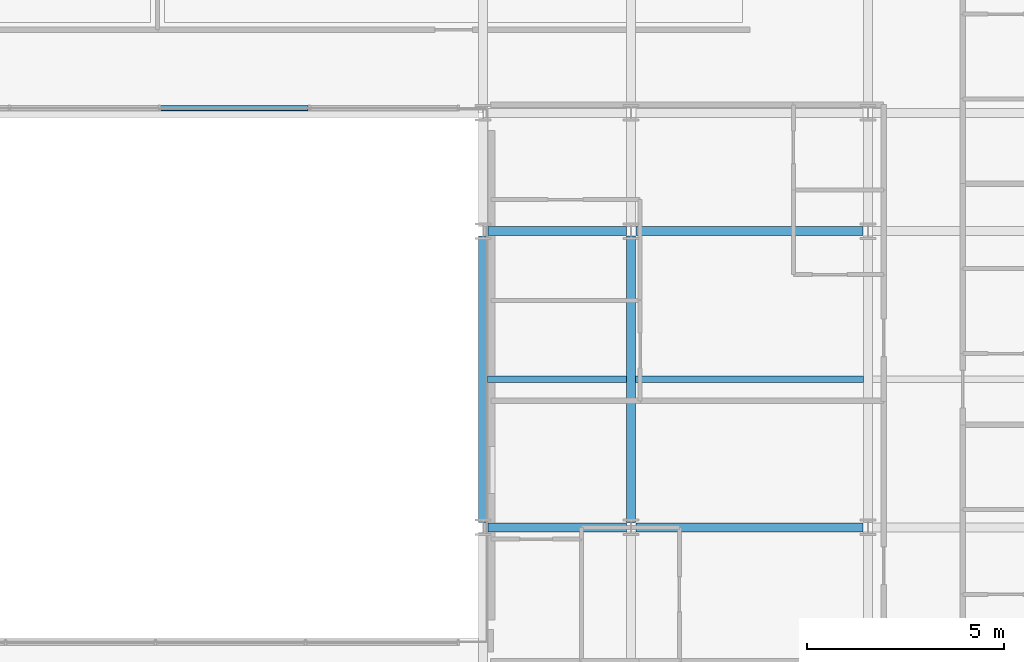
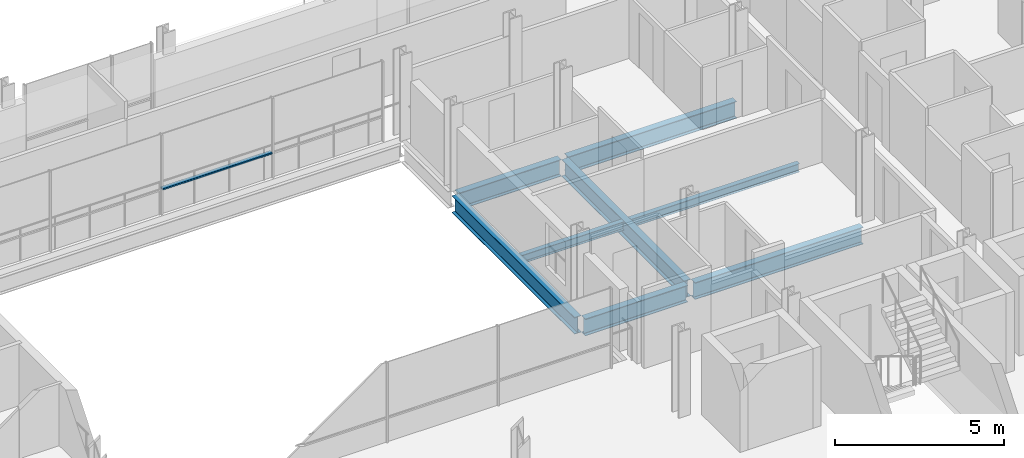
# One storey, part 16 of 39: 8 beams, 1 member, 1 element without a shape of its own.
"""IFC4 building model written with IfcOpenShell, lengths in metres."""

from ifc_helpers import new_model, si_unit, direction, frame, origin, origin_2d, place, context, subcontext, project, spatial, hollow_rectangle, i_section, extrude, material, layer, layer_set, material_profile, profile_set, type_object, element, aggregate, save


model = new_model("IFC4")

# Units and contexts
model_context = context("Model", 3, precision=1e-05, world=origin(), true_north=direction((0.0, 1.0)))
body_context = subcontext(model_context, "Body", "Model", "MODEL_VIEW")
ifc_project = project(units=[si_unit("LENGTHUNIT", "METRE"), si_unit("AREAUNIT", "SQUARE_METRE"), si_unit("VOLUMEUNIT", "CUBIC_METRE"), si_unit("PLANEANGLEUNIT", "RADIAN"), si_unit("MASSUNIT", "GRAM", prefix="KILO")], contexts=[model_context])

# Site, building, storey
site_placement = place(None, origin())
site = spatial("IfcSite", under=ifc_project, at=site_placement, CompositionType="ELEMENT")
building_placement = place(site_placement, origin())
building = spatial("IfcBuilding", under=site, at=building_placement, Name="Brevholm Reach", CompositionType="ELEMENT")
storey_placement = place(building_placement, frame((0.0, 0.0, 103.5)))
storey = spatial("IfcBuildingStorey", under=building, at=storey_placement, Name="L30", CompositionType="ELEMENT", Elevation=103.5)

# Beams
ifc_material_1 = material(Name="Structural Steel S355J2", Category="steel")
ifc_material_profile_1 = material_profile(ifc_material_1, i_section(OverallWidth=0.1650390625, OverallDepth=0.303466796875, WebThickness=0.006103515625, FlangeThickness=0.01025390625, FilletRadius=0.0087890625, at=origin_2d()), Name="UKB 305x165x40")
ifc_profile_set_1 = profile_set([ifc_material_profile_1], Name="Structural Steel S355J2")
beam_type_1 = type_object("IfcBeamType", Name="BM-B305", PredefinedType="BEAM", material=ifc_profile_set_1)
beam_1_placement = place(storey_placement, frame((38.364501953125, 19.75, -0.37158203125), z_axis=(1.0, 0.0, 0.0), x_axis=(0.0, 1.0, 0.0)))
element("IfcBeam", 1, at=beam_1_placement, inside=storey, type_object=beam_type_1, Name="L30 Composite Secondary Floor Beam", PredefinedType="BEAM", context=body_context, shape_type="SweptSolid", body=[
    extrude(i_section(OverallWidth=0.1650390625, OverallDepth=0.303466796875, WebThickness=0.006103515625, FlangeThickness=0.01025390625, FilletRadius=0.0087890625, at=origin_2d()), origin(), (0.0, 0.0, 1.0), 3.52099609375),
])
beam_2_placement = place(storey_placement, frame((42.114501953125, 19.75, -0.37158203125), z_axis=(1.0, 0.0, 0.0), x_axis=(0.0, 1.0, 0.0)))
element("IfcBeam", 2, at=beam_2_placement, inside=storey, type_object=beam_type_1, Name="L30 Composite Secondary Floor Beam", PredefinedType="BEAM", context=body_context, shape_type="SweptSolid", body=[
    extrude(i_section(OverallWidth=0.1650390625, OverallDepth=0.303466796875, WebThickness=0.006103515625, FlangeThickness=0.01025390625, FilletRadius=0.0087890625, at=origin_2d()), origin(), (0.0, 0.0, 1.0), 5.77099609375),
])
ifc_material_2 = material(Name="Structural Steel S355J2", Category="steel")
ifc_material_profile_2 = material_profile(ifc_material_2, i_section(OverallWidth=0.22900390625, OverallDepth=0.6123046875, WebThickness=0.011962890625, FlangeThickness=0.01953125, FilletRadius=0.0126953125, at=origin_2d()), Name="UKB 610x229x125")
ifc_profile_set_2 = profile_set([ifc_material_profile_2], Name="Structural Steel S355J2")
beam_type_2 = type_object("IfcBeamType", Name="BM-SP610", PredefinedType="SPANDREL", material=ifc_profile_set_2)
beam_3_placement = place(storey_placement, frame((38.3701171875, 16.0, -0.526123046875), z_axis=(1.0, 0.0, 0.0), x_axis=(0.0, 1.0, 0.0)))
element("IfcBeam", 3, at=beam_3_placement, inside=storey, type_object=beam_type_2, Name="L30 SP-01 Framing Beam", PredefinedType="SPANDREL", context=body_context, shape_type="SweptSolid", body=[
    extrude(i_section(OverallWidth=0.22900390625, OverallDepth=0.6123046875, WebThickness=0.011962890625, FlangeThickness=0.01953125, FilletRadius=0.0126953125, at=origin_2d()), origin(), (0.0, 0.0, 1.0), 3.509765625),
])
beam_4_placement = place(storey_placement, frame((42.1201171875, 16.0, -0.526123046875), z_axis=(1.0, 0.0, 0.0), x_axis=(0.0, 1.0, 0.0)))
element("IfcBeam", 4, at=beam_4_placement, inside=storey, type_object=beam_type_2, Name="L30 SP-01 Framing Beam", PredefinedType="SPANDREL", context=body_context, shape_type="SweptSolid", body=[
    extrude(i_section(OverallWidth=0.22900390625, OverallDepth=0.6123046875, WebThickness=0.011962890625, FlangeThickness=0.01953125, FilletRadius=0.0126953125, at=origin_2d()), origin(), (0.0, 0.0, 1.0), 5.759765625),
])
beam_5_placement = place(storey_placement, frame((38.3701171875, 23.5, -0.526123046875), z_axis=(1.0, 0.0, 0.0), x_axis=(0.0, 1.0, 0.0)))
element("IfcBeam", 5, at=beam_5_placement, inside=storey, type_object=beam_type_2, Name="L30 SP-01 Framing Beam", PredefinedType="SPANDREL", context=body_context, shape_type="SweptSolid", body=[
    extrude(i_section(OverallWidth=0.22900390625, OverallDepth=0.6123046875, WebThickness=0.011962890625, FlangeThickness=0.01953125, FilletRadius=0.0126953125, at=origin_2d()), origin(), (0.0, 0.0, 1.0), 3.509765625),
])
beam_6_placement = place(storey_placement, frame((42.1201171875, 23.5, -0.526123046875), z_axis=(1.0, 0.0, 0.0), x_axis=(0.0, 1.0, 0.0)))
element("IfcBeam", 6, at=beam_6_placement, inside=storey, type_object=beam_type_2, Name="L30 SP-01 Framing Beam", PredefinedType="SPANDREL", context=body_context, shape_type="SweptSolid", body=[
    extrude(i_section(OverallWidth=0.22900390625, OverallDepth=0.6123046875, WebThickness=0.011962890625, FlangeThickness=0.01953125, FilletRadius=0.0126953125, at=origin_2d()), origin(), (0.0, 0.0, 1.0), 5.759765625),
])
for number, where, z_axis, x_axis, name in (
    (7, (38.25, 16.1201171875, -0.526123046875), (0.0, 1.0, 0.0), (-1.0, 0.0, 0.0), "L30 SP-01 Framing Beam"),
    (8, (42.0, 16.1201171875, -0.526123046875), (0.0, 1.0, 0.0), (-1.0, 0.0, 0.0), "L30 SP-01 Framing Beam"),
):
    element("IfcBeam", number, at=place(storey_placement, frame(where, z_axis=z_axis, x_axis=x_axis)), inside=storey, type_object=beam_type_2, Name=name, PredefinedType="SPANDREL", context=body_context, shape_type="SweptSolid", body=[
        extrude(i_section(OverallWidth=0.22900390625, OverallDepth=0.6123046875, WebThickness=0.011962890625, FlangeThickness=0.01953125, FilletRadius=0.0126953125, at=origin_2d()), origin(), (0.0, 0.0, 1.0), 7.259765625),
    ])

# Curtain wall, member
ifc_material_3 = material(Name="Dark Anodised Aluminium 6063-T6 and Solar-Control Glass", Category="aluminium")
ifc_layer = layer(ifc_material_3, 0.139892578125)
ifc_layer_set = layer_set([ifc_layer], Name="Dark Anodised Aluminium 6063-T6 and Solar-Control Glass")
curtain_wall_type = type_object("IfcCurtainWallType", Name="CW-02", PredefinedType="NOTDEFINED", material=ifc_layer_set)
curtain_wall_placement = place(storey_placement, origin())
curtain_wall = element("IfcCurtainWall", 9, at=curtain_wall_placement, inside=storey, type_object=curtain_wall_type, Name="L30 Curtain Wall CW-02", PredefinedType="NOTDEFINED")
ifc_material_4 = material(Name="Dark Anodised Aluminium 6063-T6", Category="aluminium")
ifc_material_profile_3 = material_profile(ifc_material_4, hollow_rectangle(XDim=0.06005859375, YDim=0.139892578125, WallThickness=0.0048828125, InnerFilletRadius=0.0048828125, OuterFilletRadius=0.010009765625, at=origin_2d()), Name="RHS 140x60x5")
ifc_profile_set_3 = profile_set([ifc_material_profile_3], Name="Dark Anodised Aluminium 6063-T6")
member_type = type_object("IfcMemberType", Name="CWT-140", PredefinedType="NOTDEFINED", material=ifc_profile_set_3)
member_placement = place(storey_placement, frame((33.820068359375, 26.6201171875, 0.89990234375), z_axis=(-1.0, 0.0, 0.0), x_axis=(0.0, 0.0, 1.0)))
member = element("IfcMember", 10, at=member_placement, type_object=member_type, Name="CT-140 Transom 2.1", ObjectType="TRANSOM", PredefinedType="USERDEFINED", context=body_context, shape_type="SweptSolid", body=[
    extrude(hollow_rectangle(XDim=0.06005859375, YDim=0.139892578125, WallThickness=0.0048828125, InnerFilletRadius=0.0048828125, OuterFilletRadius=0.010009765625, at=origin_2d()), origin(), (0.0, 0.0, 1.0), 3.739990234375),
])
aggregate(curtain_wall, [member])

save(model, "model.ifc")
